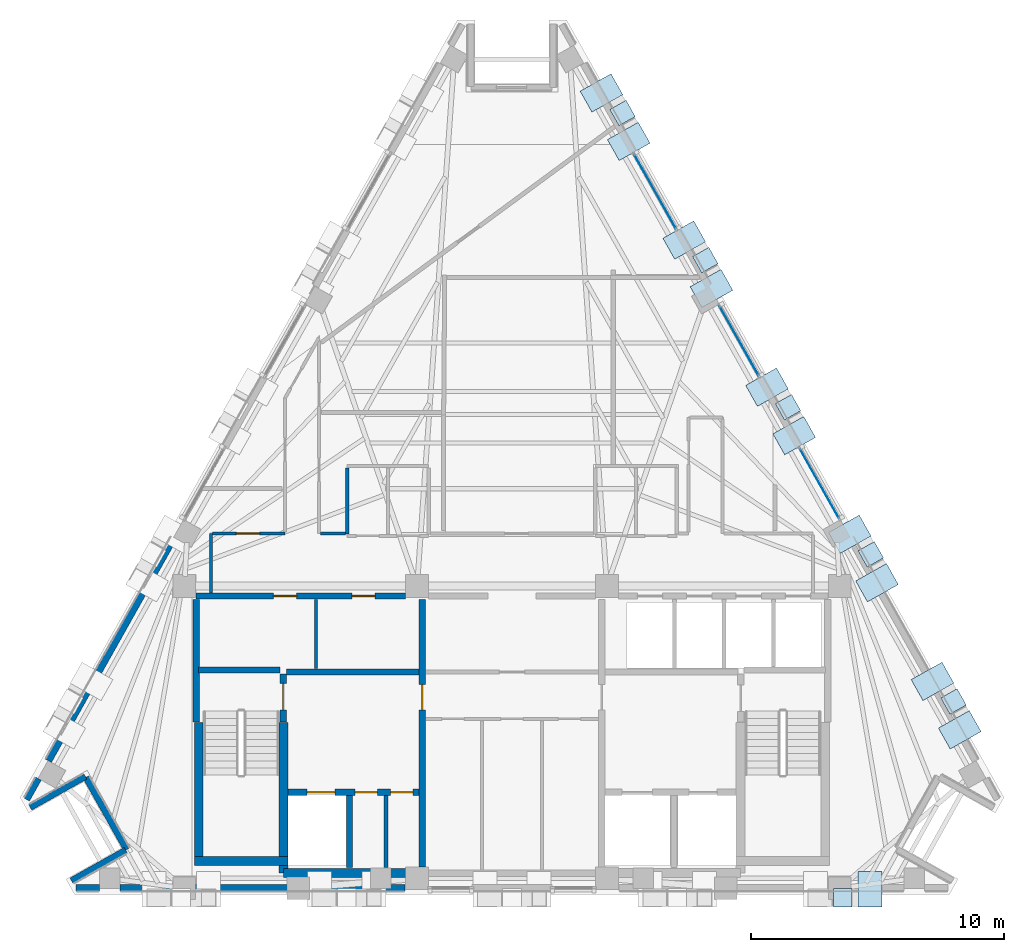
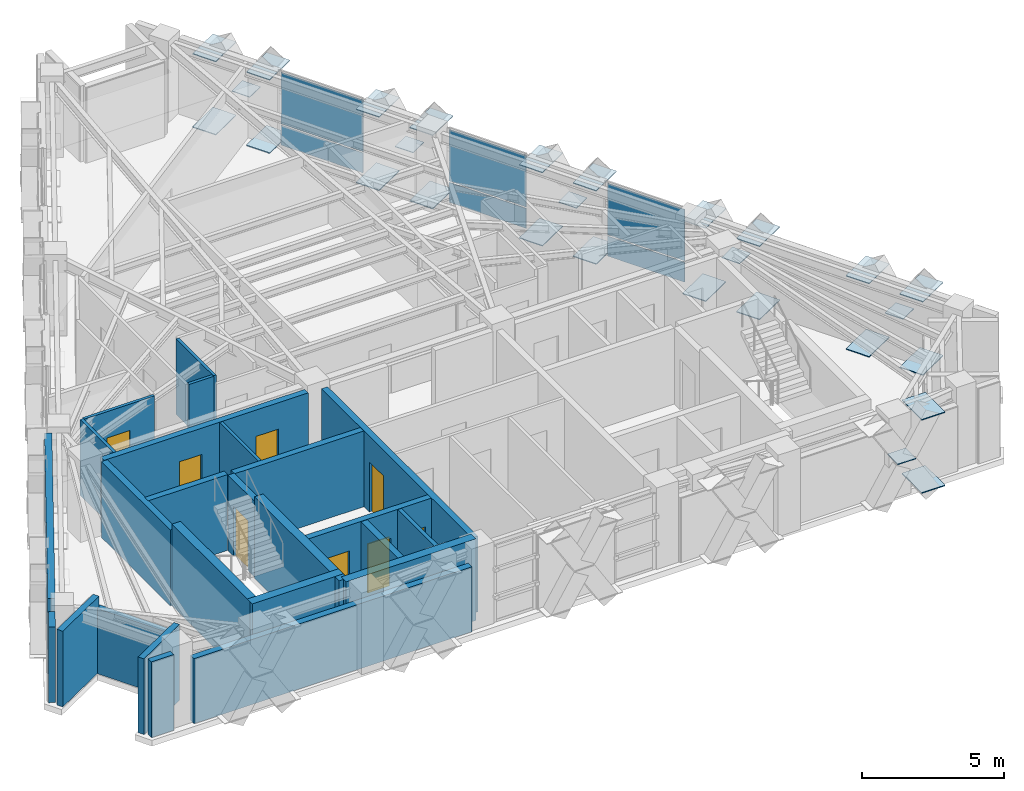
# One storey, part 6 of 11: 34 plates, 25 walls, 8 doors, 8 openings, 3 elements without a shape of their own.
"""IFC4 building model written with IfcOpenShell, lengths in metres."""

from ifc_helpers import new_model, si_unit, direction, frame, frame_2d, origin, origin_2d, place, context, subcontext, project, spatial, rectangle, extrude, material, layer, layer_set, type_object, element, fill, aggregate, save


model = new_model("IFC4")

# Units and contexts
model_context = context("Model", 3, precision=1e-05, world=origin(), true_north=direction((0.0, 1.0)))
body_context = subcontext(model_context, "Body", "Model", "MODEL_VIEW")
ifc_project = project(units=[si_unit("LENGTHUNIT", "METRE"), si_unit("AREAUNIT", "SQUARE_METRE"), si_unit("VOLUMEUNIT", "CUBIC_METRE"), si_unit("PLANEANGLEUNIT", "RADIAN"), si_unit("MASSUNIT", "GRAM", prefix="KILO")], contexts=[model_context])

# Site, building, storey
site_placement = place(None, origin())
site = spatial("IfcSite", under=ifc_project, at=site_placement, CompositionType="ELEMENT")
building_placement = place(site_placement, origin())
building = spatial("IfcBuilding", under=site, at=building_placement, Name="Quenlor Broadcast Tower", CompositionType="ELEMENT")
storey_placement = place(building_placement, frame((0.0, 0.0, 242.89990234375)))
storey = spatial("IfcBuildingStorey", under=building, at=storey_placement, Name="L67", CompositionType="ELEMENT", Elevation=242.89990234375)

# Curtain wall, plates
ifc_material_1 = material(Name="Architectural Terracotta and Low-E Glazing", Category="masonry")
curtain_wall_type = type_object("IfcCurtainWallType", Name="Unitised Terracotta Curtain Wall System Z5", PredefinedType="NOTDEFINED", material=ifc_material_1)
curtain_wall_1_placement = place(storey_placement, origin())
curtain_wall_1 = element("IfcCurtainWall", 1, at=curtain_wall_1_placement, inside=storey, type_object=curtain_wall_type, Name="L67 Curtain Wall CW5 (L67-NEA-G1)", PredefinedType="NOTDEFINED")
ifc_material_2 = material(Name="Double Glazed Low-E Solar Glass", Category="glass")
ifc_layer_1 = layer(ifc_material_2, 0.02587890625)
ifc_layer_set_1 = layer_set([ifc_layer_1], Name="CW5 Double Glazed Vision Panel 26")
plate_type_1 = type_object("IfcPlateType", Name="CW5 Double Glazed Vision Panel 26", PredefinedType="CURTAIN_PANEL", material=ifc_layer_set_1)
plate_1_placement = place(storey_placement, frame((5.65576171875, 10.784423828125, 0.065185546875), z_axis=(0.0, 0.0, 1.0), x_axis=(0.490250335582, -0.871581670563, 0.0)))
plate_1 = element("IfcPlate", 2, at=plate_1_placement, type_object=plate_type_1, Name="CW5 panel 1.1", PredefinedType="CURTAIN_PANEL", context=body_context, shape_type="SweptSolid", body=[
    extrude(rectangle(XDim=3.353271484375, YDim=0.02587890625, at=origin_2d()), origin(), (0.0, 0.0, 1.0), 0.8525390625),
])
plate_2_placement = place(storey_placement, frame((5.65576171875, 10.784423828125, 0.982421875), z_axis=(0.0, 0.0, 1.0), x_axis=(0.490250335582, -0.871581670563, 0.0)))
plate_2 = element("IfcPlate", 3, at=plate_2_placement, type_object=plate_type_1, Name="CW5 panel 1.2", PredefinedType="CURTAIN_PANEL", context=body_context, shape_type="SweptSolid", body=[
    extrude(rectangle(XDim=3.353271484375, YDim=0.02587890625, at=origin_2d()), origin(), (0.0, 0.0, 1.0), 2.202392578125),
])
aggregate(curtain_wall_1, [plate_1, plate_2])

curtain_wall_2_placement = place(storey_placement, origin())
curtain_wall_2 = element("IfcCurtainWall", 4, at=curtain_wall_2_placement, inside=storey, type_object=curtain_wall_type, Name="L67 Curtain Wall CW5 (L67-NE-G1)", PredefinedType="NOTDEFINED")
plate_3_placement = place(storey_placement, frame((8.976806640625, 4.88037109375, 0.065185546875), z_axis=(0.0, 0.0, 1.0), x_axis=(0.490262689797, -0.871574721405, 0.0)))
plate_3 = element("IfcPlate", 5, at=plate_3_placement, type_object=plate_type_1, Name="CW5 panel 1.1", PredefinedType="CURTAIN_PANEL", context=body_context, shape_type="SweptSolid", body=[
    extrude(rectangle(XDim=3.14404296875, YDim=0.02587890625, at=origin_2d()), origin(), (0.0, 0.0, 1.0), 0.8525390625),
])
plate_4_placement = place(storey_placement, frame((8.976806640625, 4.88037109375, 0.982421875), z_axis=(0.0, 0.0, 1.0), x_axis=(0.490262689797, -0.871574721405, 0.0)))
plate_4 = element("IfcPlate", 6, at=plate_4_placement, type_object=plate_type_1, Name="CW5 panel 1.2", PredefinedType="CURTAIN_PANEL", context=body_context, shape_type="SweptSolid", body=[
    extrude(rectangle(XDim=3.14404296875, YDim=0.02587890625, at=origin_2d()), origin(), (0.0, 0.0, 1.0), 2.202392578125),
])
aggregate(curtain_wall_2, [plate_3, plate_4])

curtain_wall_3_placement = place(storey_placement, origin())
curtain_wall_3 = element("IfcCurtainWall", 7, at=curtain_wall_3_placement, inside=storey, type_object=curtain_wall_type, Name="L67 Curtain Wall CW5 (L67-NE-G2)", PredefinedType="NOTDEFINED")
plate_5_placement = place(storey_placement, frame((12.143798828125, -0.75, 0.065185546875), z_axis=(0.0, 0.0, 1.0), x_axis=(0.490262689797, -0.871574721405, 0.0)))
plate_5 = element("IfcPlate", 8, at=plate_5_placement, type_object=plate_type_1, Name="CW5 panel 1.1", PredefinedType="CURTAIN_PANEL", context=body_context, shape_type="SweptSolid", body=[
    extrude(rectangle(XDim=3.14404296875, YDim=0.02587890625, at=origin_2d()), origin(), (0.0, 0.0, 1.0), 0.8525390625),
])
plate_6_placement = place(storey_placement, frame((12.143798828125, -0.75, 0.982421875), z_axis=(0.0, 0.0, 1.0), x_axis=(0.490262689797, -0.871574721405, 0.0)))
plate_6 = element("IfcPlate", 9, at=plate_6_placement, type_object=plate_type_1, Name="CW5 panel 1.2", PredefinedType="CURTAIN_PANEL", context=body_context, shape_type="SweptSolid", body=[
    extrude(rectangle(XDim=3.14404296875, YDim=0.02587890625, at=origin_2d()), origin(), (0.0, 0.0, 1.0), 2.202392578125),
])
aggregate(curtain_wall_3, [plate_5, plate_6])

# Plates
ifc_material_3 = material(Name="Steel S355", Category="steel")
ifc_layer_2 = layer(ifc_material_3, 0.028076171875)
ifc_layer_set_2 = layer_set([ifc_layer_2], Name="Perimeter Lattice Node Steel S355 Cap Plate 740x740x28")
plate_type_2 = type_object("IfcPlateType", Name="Perimeter Lattice Node Steel S355 Cap Plate 740x740x28", PredefinedType="USERDEFINED", material=ifc_layer_set_2)
for number, where, z_axis, x_axis, name in (
    (10, (13.06396484375, -17.1201171875, 1.6162109375), (0.0, 0.0, 1.0), (-1.0, 0.0, 0.0), "L67 Diamond Lattice Crossing Node S-C1"),
    (11, (4.365234375, 13.884521484375, 1.6162109375), (0.0, 0.0, 1.0), (0.490295412055, -0.871556314255, 0.0), "L67 Diamond Lattice Crossing Node NE-C1"),
    (12, (7.635009765625, 8.071533203125, 1.6162109375), (0.0, 0.0, 1.0), (0.490295412055, -0.871556314255, 0.0), "L67 Diamond Lattice Crossing Node NE-C2"),
    (13, (10.904541015625, 2.2587890625, 1.6162109375), (0.0, 0.0, 1.0), (0.490295412055, -0.871556314255, 0.0), "L67 Diamond Lattice Crossing Node NE-C3"),
    (14, (14.17431640625, -3.553955078125, 1.6162109375), (0.0, 0.0, 1.0), (0.490295412055, -0.871556314255, 0.0), "L67 Diamond Lattice Crossing Node NE-C4"),
    (15, (17.444091796875, -9.36669921875, 1.6162109375), (0.0, 0.0, 1.0), (0.490295412055, -0.871556314255, 0.0), "L67 Diamond Lattice Crossing Node NE-C5"),
):
    element("IfcPlate", number, at=place(storey_placement, frame(where, z_axis=z_axis, x_axis=x_axis)), inside=storey, type_object=plate_type_2, Name=name, ObjectType="CAP PLATE", PredefinedType="USERDEFINED", context=body_context, shape_type="SweptSolid", body=[
        extrude(rectangle(XDim=0.739990234375, YDim=0.739990234375, at=origin_2d()), origin(), (0.0, 0.0, 1.0), 0.028076171875),
    ])
ifc_material_4 = material(Name="Steel S355", Category="steel")
ifc_layer_3 = layer(ifc_material_4, 0.035888671875)
ifc_layer_set_3 = layer_set([ifc_layer_3], Name="Transfer Truss Steel S355 Gusset Node Plate 1400x950x36")
plate_type_3 = type_object("IfcPlateType", Name="Transfer Truss Steel S355 Gusset Node Plate 1400x950x36", PredefinedType="SHEET", material=ifc_layer_set_3)
for number, where, z_axis, x_axis, name in (
    (16, (14.1396484375, -16.784912109375, 0.0419921875), (0.0, 0.0, 1.0), (0.0, -1.0, 0.0), "L67 Lattice Tie Gusset Node S-B1"),
    (17, (14.1396484375, -16.784912109375, 3.18212890625), (0.0, 0.0, 1.0), (0.0, -1.0, 0.0), "L67 Lattice Tie Gusset Node S-T1"),
    (18, (3.534912109375, 14.677490234375, 0.0419921875), (0.0, 0.0, 1.0), (0.871556314255, 0.490295412055, 0.0), "L67 Lattice Tie Gusset Node NE-B1"),
    (19, (4.611572265625, 12.762939453125, 3.18212890625), (0.0, 0.0, 1.0), (0.871556314255, 0.490295412055, 0.0), "L67 Lattice Tie Gusset Node NE-T2"),
    (20, (4.611572265625, 12.762939453125, 0.0419921875), (0.0, 0.0, 1.0), (0.871556314255, 0.490295412055, 0.0), "L67 Lattice Tie Gusset Node NE-B2"),
    (21, (3.534912109375, 14.677490234375, 3.18212890625), (0.0, 0.0, 1.0), (0.871556314255, 0.490295412055, 0.0), "L67 Lattice Tie Gusset Node NE-T1"),
    (22, (6.804443359375, 8.864501953125, 0.0419921875), (0.0, 0.0, 1.0), (0.871556314255, 0.490295412055, 0.0), "L67 Lattice Tie Gusset Node NE-B4"),
    (23, (7.88134765625, 6.9501953125, 3.18212890625), (0.0, 0.0, 1.0), (0.871556314255, 0.490295412055, 0.0), "L67 Lattice Tie Gusset Node NE-T5"),
    (24, (7.88134765625, 6.9501953125, 0.0419921875), (0.0, 0.0, 1.0), (0.871556314255, 0.490295412055, 0.0), "L67 Lattice Tie Gusset Node NE-B5"),
    (25, (6.804443359375, 8.864501953125, 3.18212890625), (0.0, 0.0, 1.0), (0.871556314255, 0.490295412055, 0.0), "L67 Lattice Tie Gusset Node NE-T4"),
    (26, (10.07421875, 3.0517578125, 0.0419921875), (0.0, 0.0, 1.0), (0.871556314255, 0.490295412055, 0.0), "L67 Lattice Tie Gusset Node NE-B7"),
    (27, (11.15087890625, 1.137451171875, 3.18212890625), (0.0, 0.0, 1.0), (0.871556314255, 0.490295412055, 0.0), "L67 Lattice Tie Gusset Node NE-T8"),
    (28, (11.15087890625, 1.137451171875, 0.0419921875), (0.0, 0.0, 1.0), (0.871556314255, 0.490295412055, 0.0), "L67 Lattice Tie Gusset Node NE-B8"),
    (29, (10.07421875, 3.0517578125, 3.18212890625), (0.0, 0.0, 1.0), (0.871556314255, 0.490295412055, 0.0), "L67 Lattice Tie Gusset Node NE-T7"),
    (30, (13.343994140625, -2.760986328125, 0.0419921875), (0.0, 0.0, 1.0), (0.871556314255, 0.490295412055, 0.0), "L67 Lattice Tie Gusset Node NE-B10"),
    (31, (14.420654296875, -4.67529296875, 3.18212890625), (0.0, 0.0, 1.0), (0.871556314255, 0.490295412055, 0.0), "L67 Lattice Tie Gusset Node NE-T11"),
    (32, (14.420654296875, -4.67529296875, 0.0419921875), (0.0, 0.0, 1.0), (0.871556314255, 0.490295412055, 0.0), "L67 Lattice Tie Gusset Node NE-B11"),
    (33, (13.343994140625, -2.760986328125, 3.18212890625), (0.0, 0.0, 1.0), (0.871556314255, 0.490295412055, 0.0), "L67 Lattice Tie Gusset Node NE-T10"),
    (34, (16.613525390625, -8.57373046875, 0.0419921875), (0.0, 0.0, 1.0), (0.871556314255, 0.490295412055, 0.0), "L67 Lattice Tie Gusset Node NE-B13"),
    (35, (17.6904296875, -10.48828125, 3.18212890625), (0.0, 0.0, 1.0), (0.871556314255, 0.490295412055, 0.0), "L67 Lattice Tie Gusset Node NE-T14"),
    (36, (17.6904296875, -10.48828125, 0.0419921875), (0.0, 0.0, 1.0), (0.871556314255, 0.490295412055, 0.0), "L67 Lattice Tie Gusset Node NE-B14"),
    (37, (16.613525390625, -8.57373046875, 3.18212890625), (0.0, 0.0, 1.0), (0.871556314255, 0.490295412055, 0.0), "L67 Lattice Tie Gusset Node NE-T13"),
):
    element("IfcPlate", number, at=place(storey_placement, frame(where, z_axis=z_axis, x_axis=x_axis)), inside=storey, type_object=plate_type_3, Name=name, PredefinedType="SHEET", context=body_context, shape_type="SweptSolid", body=[
        extrude(rectangle(XDim=1.39990234375, YDim=0.949951171875, at=origin_2d()), origin(), (0.0, 0.0, 1.0), 0.035888671875),
    ])

# Walls
ifc_material_5 = material(Name="Concrete C50/60", Category="concrete")
ifc_layer_4 = layer(ifc_material_5, 0.35009765625)
ifc_layer_set_4 = layer_set([ifc_layer_4], Name="Core Concrete C50/60 Shear Wall 350")
wall_type_1 = type_object("IfcWallType", Name="Core Concrete C50/60 Shear Wall 350", PredefinedType="SHEAR", material=ifc_layer_set_4)
wall_1_placement = place(storey_placement, frame((-12.550048828125, -15.675048828125, 0.0), z_axis=(0.0, 0.0, 1.0), x_axis=(1.0, 0.0, 0.0)))
element("IfcWall", 38, at=wall_1_placement, inside=storey, type_object=wall_type_1, Name="L67 Core Shear Wall WS-W1", PredefinedType="SHEAR", context=body_context, shape_type="SweptSolid", body=[
    extrude(rectangle(XDim=3.699951171875, YDim=0.35009765625, at=frame_2d((1.85009765625, 0.0))), origin(), (0.0, 0.0, 1.0), 3.5),
])
wall_2_placement = place(storey_placement, frame((-9.02490234375, -16.14990234375, 0.0), z_axis=(0.0, 0.0, 1.0), x_axis=(1.0, 0.0, 0.0)))
element("IfcWall", 39, at=wall_2_placement, inside=storey, type_object=wall_type_1, Name="L67 Core Shear Wall WS-W2", PredefinedType="SHEAR", context=body_context, shape_type="SweptSolid", body=[
    extrude(rectangle(XDim=5.27490234375, YDim=0.35009765625, at=frame_2d((2.637451171875, 0.0))), origin(), (0.0, 0.0, 1.0), 3.5),
])
wall_3_placement = place(storey_placement, frame((-12.375, -15.675048828125, 0.0), z_axis=(0.0, 0.0, 1.0), x_axis=(0.0, 1.0, 0.0)))
element("IfcWall", 40, at=wall_3_placement, inside=storey, type_object=wall_type_1, Name="L67 Core Shear Wall WF-W", PredefinedType="SHEAR", context=body_context, shape_type="SweptSolid", body=[
    extrude(rectangle(XDim=5.47509765625, YDim=0.35009765625, at=frame_2d((2.737548828125, 0.0))), origin(), (0.0, 0.0, 1.0), 3.5),
])
wall_4_placement = place(storey_placement, frame((-9.02490234375, -16.14990234375, 0.0), z_axis=(0.0, 0.0, 1.0), x_axis=(0.0, 1.0, 0.0)))
element("IfcWall", 41, at=wall_4_placement, inside=storey, type_object=wall_type_1, Name="L67 Core Shear Wall WI-W", PredefinedType="SHEAR", context=body_context, shape_type="SweptSolid", body=[
    extrude(rectangle(XDim=5.949951171875, YDim=0.35009765625, at=frame_2d((2.97509765625, 0.0))), origin(), (0.0, 0.0, 1.0), 3.5),
])

# Wall, opening, door
ifc_material_6 = material(Name="Concrete C40/50", Category="concrete")
ifc_layer_5 = layer(ifc_material_6, 0.25)
ifc_layer_set_5 = layer_set([ifc_layer_5], Name="Fire Rated Concrete C40/50 Core Wall 250")
wall_type_2 = type_object("IfcWallType", Name="Fire Rated Concrete C40/50 Core Wall 250", PredefinedType="PARTITIONING", material=ifc_layer_set_5)
wall_5_placement = place(storey_placement, frame((-9.0400390625, -10.179931640625, 0.0), z_axis=(0.0, 0.0, 1.0), x_axis=(0.0, 1.0, 0.0)))
wall_5 = element("IfcWall", 42, at=wall_5_placement, inside=storey, type_object=wall_type_2, Name="L67 Interior Wall CW-ST1-DR", PredefinedType="PARTITIONING", context=body_context, shape_type="SweptSolid", body=[
    extrude(rectangle(XDim=1.89990234375, YDim=0.25, at=frame_2d((0.949951171875, 0.0))), origin(), (0.0, 0.0, 1.0), 3.25),
])
opening_1_placement = place(wall_5_placement, frame((0.47998046875, 0.0, 0.0)))
opening_1 = element("IfcOpeningElement", 43, at=opening_1_placement, cuts=wall_5, Name="Opening FD-1", PredefinedType="OPENING", context=body_context, shape_type="SweptSolid", body=[
    extrude(rectangle(XDim=1.050048828125, YDim=2.14990234375, at=frame_2d((0.52490234375, 1.074951171875))), frame((0.0, 0.135009765625, 0.0), z_axis=(0.0, -1.0, 0.0), x_axis=(1.0, 0.0, 0.0)), (0.0, 0.0, 1.0), 0.27001953125),
])
ifc_material_7 = material(Name="Fire Rated Steel Door Leaf", Category="steel")
door_type_1 = type_object("IfcDoorType", Name="Fire Isolated Stair Door 1050x2150", OperationType="NOTDEFINED", PredefinedType="DOOR", material=ifc_material_7)
door_1_placement = place(opening_1_placement, origin())
door_1 = element("IfcDoor", 44, at=door_1_placement, inside=storey, type_object=door_type_1, Name="L67 Door DR-ST1", OperationType="SINGLE_SWING_LEFT", OverallHeight=2.14990234375, OverallWidth=1.050048828125, PredefinedType="DOOR", context=body_context, shape_type="SweptSolid", body=[
    extrude(rectangle(XDim=1.050048828125, YDim=2.14990234375, at=frame_2d((0.52490234375, 1.074951171875))), frame((0.0, 0.02490234375, 0.0), z_axis=(0.0, -1.0, 0.0), x_axis=(1.0, 0.0, 0.0)), (0.0, 0.0, 1.0), 0.050048828125),
])
fill(opening_1, door_1)

# Walls
wall_6_placement = place(storey_placement, frame((-12.3798828125, -8.1201171875, 0.0), z_axis=(0.0, 0.0, 1.0), x_axis=(1.0, 0.0, 0.0)))
element("IfcWall", 45, at=wall_6_placement, inside=storey, type_object=wall_type_2, Name="L67 Interior Wall CW-ST1-N", PredefinedType="PARTITIONING", context=body_context, shape_type="SweptSolid", body=[
    extrude(rectangle(XDim=3.219970703125, YDim=0.25, at=frame_2d((1.60986328125, 0.0))), origin(), (0.0, 0.0, 1.0), 3.25),
])
wall_7_placement = place(storey_placement, frame((-12.47998046875, -10.179931640625, 0.0), z_axis=(0.0, 0.0, 1.0), x_axis=(0.0, 1.0, 0.0)))
element("IfcWall", 46, at=wall_7_placement, inside=storey, type_object=wall_type_2, Name="L67 Interior Wall CW-ST1-W2", PredefinedType="PARTITIONING", context=body_context, shape_type="SweptSolid", body=[
    extrude(rectangle(XDim=4.83984375, YDim=0.25, at=frame_2d((2.419921875, 0.0))), origin(), (0.0, 0.0, 1.0), 3.25),
])

# Wall, openings, doors
wall_8_placement = place(storey_placement, frame((-8.847900390625, -12.949951171875, 0.0), z_axis=(0.0, 0.0, 1.0), x_axis=(1.0, 0.0, 0.0)))
wall_8 = element("IfcWall", 47, at=wall_8_placement, inside=storey, type_object=wall_type_2, Name="L67 Interior Wall CW-FFW-S", PredefinedType="PARTITIONING", context=body_context, shape_type="SweptSolid", body=[
    extrude(rectangle(XDim=5.16796875, YDim=0.25, at=frame_2d((2.583984375, 0.0))), origin(), (0.0, 0.0, 1.0), 3.25),
])
opening_2_placement = place(wall_8_placement, frame((0.748046875, 0.0, 0.0)))
opening_2 = element("IfcOpeningElement", 48, at=opening_2_placement, cuts=wall_8, Name="Opening LD-FFL-1", PredefinedType="OPENING", context=body_context, shape_type="SweptSolid", body=[
    extrude(rectangle(XDim=1.10009765625, YDim=2.14990234375, at=frame_2d((0.550048828125, 1.074951171875))), frame((0.0, 0.135009765625, 0.0), z_axis=(0.0, -1.0, 0.0), x_axis=(1.0, 0.0, 0.0)), (0.0, 0.0, 1.0), 0.27001953125),
])
opening_3_placement = place(wall_8_placement, frame((2.64794921875, 0.0, 0.0)))
opening_3 = element("IfcOpeningElement", 49, at=opening_3_placement, cuts=wall_8, Name="Opening TD-1", PredefinedType="OPENING", context=body_context, shape_type="SweptSolid", body=[
    extrude(rectangle(XDim=0.8798828125, YDim=2.10009765625, at=frame_2d((0.43994140625, 1.050048828125))), frame((0.0, 0.135009765625, 0.0), z_axis=(0.0, -1.0, 0.0), x_axis=(1.0, 0.0, 0.0)), (0.0, 0.0, 1.0), 0.27001953125),
])
opening_4_placement = place(wall_8_placement, frame((4.048095703125, 0.0, 0.0)))
opening_4 = element("IfcOpeningElement", 50, at=opening_4_placement, cuts=wall_8, Name="Opening TD-1", PredefinedType="OPENING", context=body_context, shape_type="SweptSolid", body=[
    extrude(rectangle(XDim=0.8798828125, YDim=2.10009765625, at=frame_2d((0.43994140625, 1.050048828125))), frame((0.0, 0.135009765625, 0.0), z_axis=(0.0, -1.0, 0.0), x_axis=(1.0, 0.0, 0.0)), (0.0, 0.0, 1.0), 0.27001953125),
])
ifc_material_8 = material(Name="Brushed Stainless Steel", Category="steel")
door_type_2 = type_object("IfcDoorType", Name="Emergency Lift Sliding Landing Door 1100x2150", OperationType="NOTDEFINED", PredefinedType="DOOR", material=ifc_material_8)
door_2_placement = place(opening_2_placement, origin())
door_2 = element("IfcDoor", 51, at=door_2_placement, inside=storey, type_object=door_type_2, Name="L67 Door LD-FFL-1", OperationType="SLIDING_TO_LEFT", OverallHeight=2.14990234375, OverallWidth=1.10009765625, PredefinedType="DOOR", context=body_context, shape_type="SweptSolid", body=[
    extrude(rectangle(XDim=1.10009765625, YDim=2.14990234375, at=frame_2d((0.550048828125, 1.074951171875))), frame((0.0, 0.02490234375, 0.0), z_axis=(0.0, -1.0, 0.0), x_axis=(1.0, 0.0, 0.0)), (0.0, 0.0, 1.0), 0.050048828125),
])
fill(opening_2, door_2)
ifc_material_9 = material(Name="Fire Rated Steel Access Panel", Category="steel")
door_type_3 = type_object("IfcDoorType", Name="Riser Shaft Rated Access Trapdoor 880x2100", OperationType="NOTDEFINED", PredefinedType="TRAPDOOR", material=ifc_material_9)
door_3_placement = place(opening_3_placement, origin())
door_3 = element("IfcDoor", 52, at=door_3_placement, inside=storey, type_object=door_type_3, Name="L67 Door DR-ELR", OperationType="SINGLE_SWING_LEFT", OverallHeight=2.10009765625, OverallWidth=0.8798828125, PredefinedType="TRAPDOOR", context=body_context, shape_type="SweptSolid", body=[
    extrude(rectangle(XDim=0.8798828125, YDim=2.10009765625, at=frame_2d((0.43994140625, 1.050048828125))), frame((0.0, 0.02490234375, 0.0), z_axis=(0.0, -1.0, 0.0), x_axis=(1.0, 0.0, 0.0)), (0.0, 0.0, 1.0), 0.050048828125),
])
fill(opening_3, door_3)
door_4_placement = place(opening_4_placement, origin())
door_4 = element("IfcDoor", 53, at=door_4_placement, inside=storey, type_object=door_type_3, Name="L67 Door DR-CMR", OperationType="SINGLE_SWING_RIGHT", OverallHeight=2.10009765625, OverallWidth=0.8798828125, PredefinedType="TRAPDOOR", context=body_context, shape_type="SweptSolid", body=[
    extrude(rectangle(XDim=0.8798828125, YDim=2.10009765625, at=frame_2d((0.43994140625, 1.050048828125))), frame((0.0, 0.02490234375, 0.0), z_axis=(0.0, -1.0, 0.0), x_axis=(1.0, 0.0, 0.0)), (0.0, 0.0, 1.0), 0.050048828125),
])
fill(opening_4, door_4)

# Walls
wall_9_placement = place(storey_placement, frame((-6.419921875, -15.919921875, 0.0), z_axis=(0.0, 0.0, 1.0), x_axis=(0.0, 1.0, 0.0)))
element("IfcWall", 54, at=wall_9_placement, inside=storey, type_object=wall_type_2, Name="L67 Interior Wall CW-FF1-E", PredefinedType="PARTITIONING", context=body_context, shape_type="SweptSolid", body=[
    extrude(rectangle(XDim=2.829833984375, YDim=0.25, at=frame_2d((1.4150390625, 0.0))), origin(), (0.0, 0.0, 1.0), 3.25),
])
wall_10_placement = place(storey_placement, frame((-8.919921875, -8.199951171875, 0.0), z_axis=(0.0, 0.0, 1.0), x_axis=(1.0, 0.0, 0.0)))
element("IfcWall", 55, at=wall_10_placement, inside=storey, type_object=wall_type_2, Name="L67 Interior Wall CW-FFW-N", PredefinedType="PARTITIONING", context=body_context, shape_type="SweptSolid", body=[
    extrude(rectangle(XDim=5.239990234375, YDim=0.25, at=frame_2d((2.6201171875, 0.0))), origin(), (0.0, 0.0, 1.0), 3.25),
])

# Wall, opening, door
wall_11_placement = place(storey_placement, frame((-3.550048828125, -15.89794921875, 0.0), z_axis=(0.0, 0.0, 1.0), x_axis=(0.0, 1.0, 0.0)))
wall_11 = element("IfcWall", 56, at=wall_11_placement, inside=storey, type_object=wall_type_2, Name="L67 Interior Wall CW-FFW-E", PredefinedType="PARTITIONING", context=body_context, shape_type="SweptSolid", body=[
    extrude(rectangle(XDim=10.557861328125, YDim=0.25, at=frame_2d((5.27880859375, 0.0))), origin(), (0.0, 0.0, 1.0), 3.25),
])
opening_5_placement = place(wall_11_placement, frame((6.197998046875, 0.0, 0.0)))
opening_5 = element("IfcOpeningElement", 57, at=opening_5_placement, cuts=wall_11, Name="Opening FD-2", PredefinedType="OPENING", context=body_context, shape_type="SweptSolid", body=[
    extrude(rectangle(XDim=1.0, YDim=2.14990234375, at=frame_2d((0.5, 1.074951171875))), frame((0.0, 0.135009765625, 0.0), z_axis=(0.0, -1.0, 0.0), x_axis=(1.0, 0.0, 0.0)), (0.0, 0.0, 1.0), 0.27001953125),
])
ifc_material_10 = material(Name="Fire Rated Glazed Steel Door", Category="steel")
door_type_4 = type_object("IfcDoorType", Name="Firefighting Lobby Smoke Door 1000x2150", OperationType="NOTDEFINED", PredefinedType="DOOR", material=ifc_material_10)
door_5_placement = place(opening_5_placement, origin())
door_5 = element("IfcDoor", 58, at=door_5_placement, inside=storey, type_object=door_type_4, Name="L67 Door DR-FFLW", OperationType="SINGLE_SWING_RIGHT", OverallHeight=2.14990234375, OverallWidth=1.0, PredefinedType="DOOR", context=body_context, shape_type="SweptSolid", body=[
    extrude(rectangle(XDim=1.0, YDim=2.14990234375, at=frame_2d((0.5, 1.074951171875))), frame((0.0, 0.02490234375, 0.0), z_axis=(0.0, -1.0, 0.0), x_axis=(1.0, 0.0, 0.0)), (0.0, 0.0, 1.0), 0.050048828125),
])
fill(opening_5, door_5)

# Wall, openings, doors
wall_12_placement = place(storey_placement, frame((-12.47998046875, -5.199951171875, 0.0), z_axis=(0.0, 0.0, 1.0), x_axis=(1.0, 0.0, 0.0)))
wall_12 = element("IfcWall", 59, at=wall_12_placement, inside=storey, type_object=wall_type_2, Name="L67 Interior Wall CW-N-W", PredefinedType="PARTITIONING", context=body_context, shape_type="SweptSolid", body=[
    extrude(rectangle(XDim=8.278076171875, YDim=0.25, at=frame_2d((4.13916015625, 0.0))), origin(), (0.0, 0.0, 1.0), 3.25),
])
opening_6_placement = place(wall_12_placement, frame((3.050048828125, 0.0, 0.0)))
opening_6 = element("IfcOpeningElement", 60, at=opening_6_placement, cuts=wall_12, Name="Opening ID-1", PredefinedType="OPENING", context=body_context, shape_type="SweptSolid", body=[
    extrude(rectangle(XDim=0.919921875, YDim=2.1201171875, at=frame_2d((0.4599609375, 1.06005859375))), frame((0.0, 0.135009765625, 0.0), z_axis=(0.0, -1.0, 0.0), x_axis=(1.0, 0.0, 0.0)), (0.0, 0.0, 1.0), 0.27001953125),
])
opening_7_placement = place(wall_12_placement, frame((6.14990234375, 0.0, 0.0)))
opening_7 = element("IfcOpeningElement", 61, at=opening_7_placement, cuts=wall_12, Name="Opening ID-1", PredefinedType="OPENING", context=body_context, shape_type="SweptSolid", body=[
    extrude(rectangle(XDim=0.919921875, YDim=2.1201171875, at=frame_2d((0.4599609375, 1.06005859375))), frame((0.0, 0.135009765625, 0.0), z_axis=(0.0, -1.0, 0.0), x_axis=(1.0, 0.0, 0.0)), (0.0, 0.0, 1.0), 0.27001953125),
])
ifc_material_11 = material(Name="Solid Core Timber Oak", Category="wood")
door_type_5 = type_object("IfcDoorType", Name="Single Leaf Timber Office Door 920x2120", OperationType="NOTDEFINED", PredefinedType="DOOR", material=ifc_material_11)
door_6_placement = place(opening_6_placement, origin())
door_6 = element("IfcDoor", 62, at=door_6_placement, inside=storey, type_object=door_type_5, Name="L67 Door DR-RCL1", OperationType="SINGLE_SWING_LEFT", OverallHeight=2.1201171875, OverallWidth=0.919921875, PredefinedType="DOOR", context=body_context, shape_type="SweptSolid", body=[
    extrude(rectangle(XDim=0.919921875, YDim=2.1201171875, at=frame_2d((0.4599609375, 1.06005859375))), frame((0.0, 0.02490234375, 0.0), z_axis=(0.0, -1.0, 0.0), x_axis=(1.0, 0.0, 0.0)), (0.0, 0.0, 1.0), 0.050048828125),
])
fill(opening_6, door_6)
door_7_placement = place(opening_7_placement, origin())
door_7 = element("IfcDoor", 63, at=door_7_placement, inside=storey, type_object=door_type_5, Name="L67 Door DR-RCL2", OperationType="SINGLE_SWING_RIGHT", OverallHeight=2.1201171875, OverallWidth=0.919921875, PredefinedType="DOOR", context=body_context, shape_type="SweptSolid", body=[
    extrude(rectangle(XDim=0.919921875, YDim=2.1201171875, at=frame_2d((0.4599609375, 1.06005859375))), frame((0.0, 0.02490234375, 0.0), z_axis=(0.0, -1.0, 0.0), x_axis=(1.0, 0.0, 0.0)), (0.0, 0.0, 1.0), 0.050048828125),
])
fill(opening_7, door_7)

# Walls
ifc_material_12 = material(Name="Gypsum Fireboard Partition", Category="other")
ifc_layer_6 = layer(ifc_material_12, 0.159912109375)
ifc_layer_set_6 = layer_set([ifc_layer_6], Name="Fire Rated Shaft and Corridor Partition 160")
wall_type_3 = type_object("IfcWallType", Name="Fire Rated Shaft and Corridor Partition 160", PredefinedType="PARTITIONING", material=ifc_layer_set_6)
wall_13_placement = place(storey_placement, frame((-4.97998046875, -15.919921875, 0.0), z_axis=(0.0, 0.0, 1.0), x_axis=(0.0, 1.0, 0.0)))
element("IfcWall", 64, at=wall_13_placement, inside=storey, type_object=wall_type_3, Name="L67 Interior Wall CW-ELR-E", PredefinedType="PARTITIONING", context=body_context, shape_type="SweptSolid", body=[
    extrude(rectangle(XDim=2.829833984375, YDim=0.159912109375, at=frame_2d((1.4150390625, 0.0))), origin(), (0.0, 0.0, 1.0), 3.25),
])
ifc_material_13 = material(Name="Gypsum Plasterboard Partition", Category="other")
ifc_layer_7 = layer(ifc_material_13, 0.1201171875)
ifc_layer_set_7 = layer_set([ifc_layer_7], Name="Standard Office Partition 120")
wall_type_4 = type_object("IfcWallType", Name="Standard Office Partition 120", PredefinedType="PARTITIONING", material=ifc_layer_set_7)
wall_14_placement = place(storey_placement, frame((-7.75, -8.072998046875, 0.0), z_axis=(0.0, 0.0, 1.0), x_axis=(0.0, 1.0, 0.0)))
element("IfcWall", 65, at=wall_14_placement, inside=storey, type_object=wall_type_4, Name="L67 Interior Wall CW-RCL-MID", PredefinedType="PARTITIONING", context=body_context, shape_type="SweptSolid", body=[
    extrude(rectangle(XDim=2.73291015625, YDim=0.1201171875, at=frame_2d((1.366455078125, 0.0))), origin(), (0.0, 0.0, 1.0), 3.25),
])
wall_15_placement = place(storey_placement, frame((-6.510009765625, -2.758056640625, 0.0), z_axis=(0.0, 0.0, 1.0), x_axis=(0.0, 1.0, 0.0)))
element("IfcWall", 66, at=wall_15_placement, inside=storey, type_object=wall_type_4, Name="L67 Interior Wall PW-WCW-W", PredefinedType="PARTITIONING", context=body_context, shape_type="SweptSolid", body=[
    extrude(rectangle(XDim=2.6259765625, YDim=0.1201171875, at=frame_2d((1.31298828125, 0.0))), origin(), (0.0, 0.0, 1.0), 3.25),
])
wall_16_placement = place(storey_placement, frame((-11.89990234375, -5.072998046875, 0.0), z_axis=(0.0, 0.0, 1.0), x_axis=(0.0, 1.0, 0.0)))
element("IfcWall", 67, at=wall_16_placement, inside=storey, type_object=wall_type_4, Name="L67 Interior Wall PW-CR-01", PredefinedType="PARTITIONING", context=body_context, shape_type="SweptSolid", body=[
    extrude(rectangle(XDim=2.343017578125, YDim=0.1201171875, at=frame_2d((1.17138671875, 0.0))), origin(), (0.0, 0.0, 1.0), 3.25),
])

# Wall, opening, door
wall_17_placement = place(storey_placement, frame((-11.837890625, -2.72998046875, 0.0), z_axis=(0.0, 0.0, 1.0), x_axis=(1.0, 0.0, 0.0)))
wall_17 = element("IfcWall", 68, at=wall_17_placement, inside=storey, type_object=wall_type_4, Name="L67 Interior Wall PW-CR-02", PredefinedType="PARTITIONING", context=body_context, shape_type="SweptSolid", body=[
    extrude(rectangle(XDim=2.867919921875, YDim=0.1201171875, at=frame_2d((1.43408203125, 0.0))), origin(), (0.0, 0.0, 1.0), 3.25),
])
opening_8_placement = place(wall_17_placement, frame((0.943115234375, 0.0, 0.0)))
opening_8 = element("IfcOpeningElement", 69, at=opening_8_placement, cuts=wall_17, Name="Opening ID-1", PredefinedType="OPENING", context=body_context, shape_type="SweptSolid", body=[
    extrude(rectangle(XDim=0.919921875, YDim=2.1201171875, at=frame_2d((0.4599609375, 1.06005859375))), frame((0.0, 0.070068359375, 0.0), z_axis=(0.0, -1.0, 0.0), x_axis=(1.0, 0.0, 0.0)), (0.0, 0.0, 1.0), 0.14013671875),
])
door_8_placement = place(opening_8_placement, origin())
door_8 = element("IfcDoor", 70, at=door_8_placement, inside=storey, type_object=door_type_5, Name="L67 Door DR-RM07", OperationType="SINGLE_SWING_RIGHT", OverallHeight=2.1201171875, OverallWidth=0.919921875, PredefinedType="DOOR", context=body_context, shape_type="SweptSolid", body=[
    extrude(rectangle(XDim=0.919921875, YDim=2.1201171875, at=frame_2d((0.4599609375, 1.06005859375))), frame((0.0, 0.02490234375, 0.0), z_axis=(0.0, -1.0, 0.0), x_axis=(1.0, 0.0, 0.0)), (0.0, 0.0, 1.0), 0.050048828125),
])
fill(opening_8, door_8)

# Walls
wall_18_placement = place(storey_placement, frame((-7.568115234375, -2.72998046875, 0.0), z_axis=(0.0, 0.0, 1.0), x_axis=(1.0, 0.0, 0.0)))
element("IfcWall", 71, at=wall_18_placement, inside=storey, type_object=wall_type_4, Name="L67 Interior Wall PW-CR-06", PredefinedType="PARTITIONING", context=body_context, shape_type="SweptSolid", body=[
    extrude(rectangle(XDim=0.99609375, YDim=0.1201171875, at=frame_2d((0.498046875, 0.0))), origin(), (0.0, 0.0, 1.0), 3.25),
])
ifc_material_14 = material(Name="Precast concrete C40/50", Category="concrete")
ifc_layer_8 = layer(ifc_material_14, 0.239990234375)
ifc_layer_set_8 = layer_set([ifc_layer_8], Name="Terrace Threshold Precast Concrete C40/50 Wall 240")
wall_type_5 = type_object("IfcWallType", Name="Terrace Threshold Precast Concrete C40/50 Wall 240", PredefinedType="STANDARD", material=ifc_layer_set_8)
wall_19_placement = place(storey_placement, frame((-16.302490234375, -16.72509765625, 0.0), z_axis=(0.0, 0.0, 1.0), x_axis=(-1.0, 0.0, 0.0)))
element("IfcWall", 72, at=wall_19_placement, inside=storey, type_object=wall_type_5, Name="L67 Exterior Wall L67-SHD-SS1", PredefinedType="STANDARD", context=body_context, shape_type="SweptSolid", body=[
    extrude(rectangle(XDim=0.91748046875, YDim=0.239990234375, at=frame_2d((0.458740234375, 0.0))), origin(), (0.0, 0.0, 1.0), 3.25),
])
wall_20_placement = place(storey_placement, frame((-19.1708984375, -13.242431640625, 0.0), z_axis=(0.0, 0.0, 1.0), x_axis=(0.490199895283, 0.871610040479, 0.0)))
element("IfcWall", 73, at=wall_20_placement, inside=storey, type_object=wall_type_5, Name="L67 Exterior Wall L67-SHD-NWS0", PredefinedType="STANDARD", context=body_context, shape_type="SweptSolid", body=[
    extrude(rectangle(XDim=0.94482421875, YDim=0.239990234375, at=frame_2d((0.472412109375, 0.0))), origin(), (0.0, 0.0, 1.0), 3.25),
])
wall_21_placement = place(storey_placement, frame((-19.033447265625, -13.556396484375, 0.0), z_axis=(0.0, 0.0, 1.0), x_axis=(0.871588577066, 0.490238056792, 0.0)))
element("IfcWall", 74, at=wall_21_placement, inside=storey, type_object=wall_type_5, Name="L67 Exterior Wall L67-CNR-13", PredefinedType="STANDARD", context=body_context, shape_type="SweptSolid", body=[
    extrude(rectangle(XDim=2.5, YDim=0.239990234375, at=frame_2d((1.25, 0.0))), origin(), (0.0, 0.0, 1.0), 3.25),
])
wall_22_placement = place(storey_placement, frame((-16.8349609375, -12.36572265625, 0.0), z_axis=(0.0, 0.0, 1.0), x_axis=(0.490293083368, -0.871557624258, 0.0)))
element("IfcWall", 75, at=wall_22_placement, inside=storey, type_object=wall_type_5, Name="L67 Exterior Wall L67-CNR-14", PredefinedType="STANDARD", context=body_context, shape_type="SweptSolid", body=[
    extrude(rectangle(XDim=3.276123046875, YDim=0.239990234375, at=frame_2d((1.63818359375, 0.0))), origin(), (0.0, 0.0, 1.0), 2.789794921875),
])
wall_23_placement = place(storey_placement, frame((-15.263671875, -15.240478515625, 0.0), z_axis=(0.0, 0.0, 1.0), x_axis=(-0.87157023615, -0.490270663468, 0.0)))
element("IfcWall", 76, at=wall_23_placement, inside=storey, type_object=wall_type_5, Name="L67 Exterior Wall L67-CNR-15", PredefinedType="STANDARD", context=body_context, shape_type="SweptSolid", body=[
    extrude(rectangle(XDim=2.4599609375, YDim=0.239990234375, at=frame_2d((1.22998046875, 0.0))), origin(), (0.0, 0.0, 1.0), 3.25),
])
ifc_material_15 = material(Name="Precast concrete C40/50", Category="concrete")
ifc_layer_9 = layer(ifc_material_15, 0.260009765625)
ifc_layer_set_9 = layer_set([ifc_layer_9], Name="Terracotta Precast Concrete C40/50 Upper Wall 260")
wall_type_6 = type_object("IfcWallType", Name="Terracotta Precast Concrete C40/50 Upper Wall 260", PredefinedType="STANDARD", material=ifc_layer_set_9)
wall_24_placement = place(storey_placement, frame((-4.219970703125, -16.72509765625, 0.0), z_axis=(0.0, 0.0, 1.0), x_axis=(-1.0, 0.0, 0.0)))
element("IfcWall", 77, at=wall_24_placement, inside=storey, type_object=wall_type_6, Name="L67 Exterior Wall L67-EW-SC", PredefinedType="STANDARD", context=body_context, shape_type="SweptSolid", body=[
    extrude(rectangle(XDim=11.272705078125, YDim=0.260009765625, at=frame_2d((5.63623046875, 0.0))), origin(), (0.0, 0.0, 1.0), 2.789794921875),
])
wall_25_placement = place(storey_placement, frame((-18.310546875, -11.712890625, 0.0), z_axis=(0.0, 0.0, 1.0), x_axis=(0.490266968583, 0.871572314565, 0.0)))
element("IfcWall", 78, at=wall_25_placement, inside=storey, type_object=wall_type_6, Name="L67 Exterior Wall L67-EW-NWA", PredefinedType="STANDARD", context=body_context, shape_type="SweptSolid", body=[
    extrude(rectangle(XDim=10.116455078125, YDim=0.260009765625, at=frame_2d((5.05810546875, 0.0))), origin(), (0.0, 0.0, 1.0), 3.25),
])

save(model, "model.ifc")
